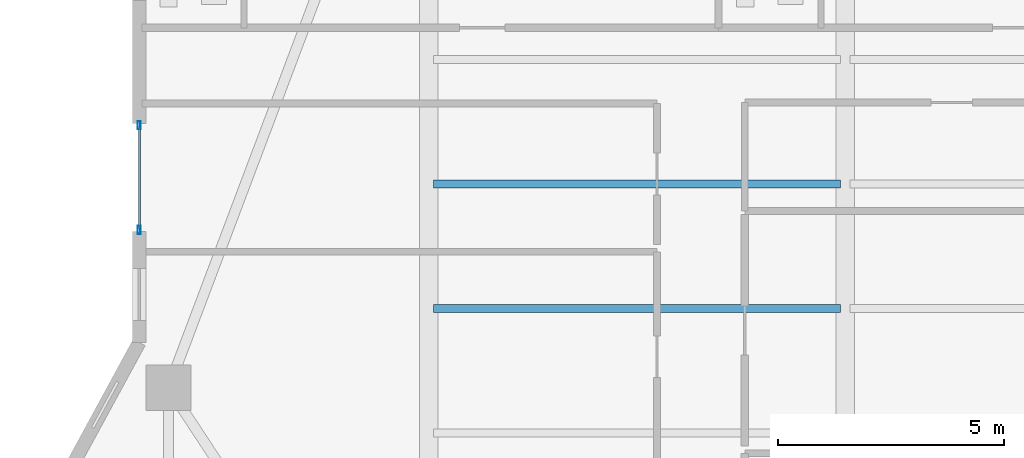
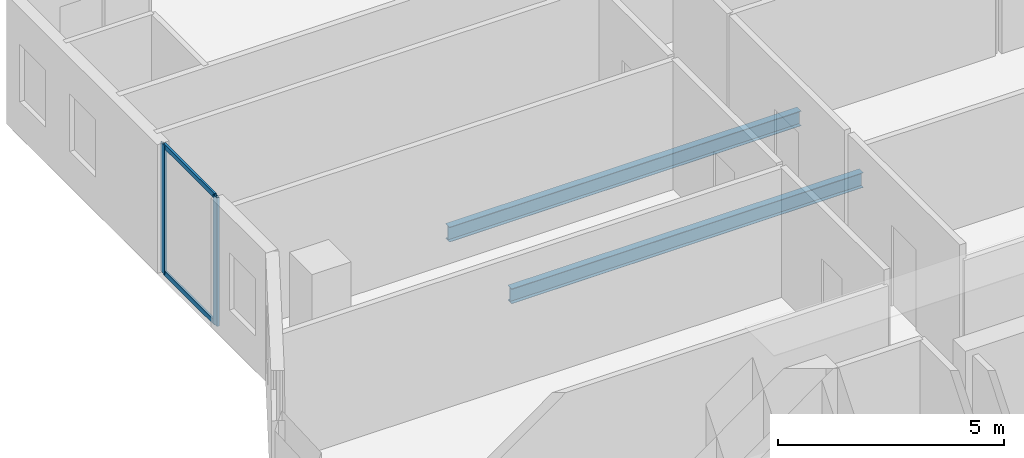
# One storey, part 6 of 24: 4 members, 2 beams, 1 element without a shape of its own.
"""IFC4 building model written with IfcOpenShell, lengths in metres."""

from ifc_helpers import new_model, si_unit, direction, frame, origin, origin_2d, place, context, subcontext, project, spatial, hollow_rectangle, i_section, extrude, material, layer, layer_set, material_profile, profile_set, type_object, element, aggregate, save


model = new_model("IFC4")

# Units and contexts
model_context = context("Model", 3, precision=1e-05, world=origin(), true_north=direction((0.0, 1.0)))
body_context = subcontext(model_context, "Body", "Model", "MODEL_VIEW")
ifc_project = project(units=[si_unit("LENGTHUNIT", "METRE"), si_unit("AREAUNIT", "SQUARE_METRE"), si_unit("VOLUMEUNIT", "CUBIC_METRE"), si_unit("PLANEANGLEUNIT", "RADIAN"), si_unit("MASSUNIT", "GRAM", prefix="KILO")], contexts=[model_context])

# Site, building, storey
site_placement = place(None, origin())
site = spatial("IfcSite", under=ifc_project, at=site_placement, CompositionType="ELEMENT")
building_placement = place(site_placement, origin())
building = spatial("IfcBuilding", under=site, at=building_placement, Name="Zuhayl Quay Hotel", CompositionType="ELEMENT")
storey_placement = place(building_placement, frame((0.0, 0.0, 269.25)))
storey = spatial("IfcBuildingStorey", under=building, at=storey_placement, Name="L68", CompositionType="ELEMENT", Elevation=269.25)

# Beams
ifc_material_1 = material(Name="Steel ASTM A992 Grade 50", Category="steel")
ifc_material_profile_1 = material_profile(ifc_material_1, i_section(OverallWidth=0.177978515625, OverallDepth=0.404052734375, WebThickness=0.007568359375, FlangeThickness=0.010986328125, at=origin_2d()), Name="W16X36")
ifc_profile_set_1 = profile_set([ifc_material_profile_1], Name="Steel ASTM A992 Grade 50")
beam_type = type_object("IfcBeamType", Name="BM_J3_W16X36", PredefinedType="JOIST", material=ifc_profile_set_1)
for number, where, z_axis, x_axis, name in (
    (1, (-13.694091796875, 24.85009765625, -0.422119140625), (1.0, 0.0, 0.0), (0.0, 1.0, 0.0), "L68 Floor Beam FJ_L68_4_1"),
    (2, (-13.694091796875, 27.60009765625, -0.422119140625), (1.0, 0.0, 0.0), (0.0, 1.0, 0.0), "L68 Floor Beam FJ_L68_5_1"),
):
    element("IfcBeam", number, at=place(storey_placement, frame(where, z_axis=z_axis, x_axis=x_axis)), inside=storey, type_object=beam_type, Name=name, PredefinedType="JOIST", context=body_context, shape_type="SweptSolid", body=[
        extrude(i_section(OverallWidth=0.177978515625, OverallDepth=0.404052734375, WebThickness=0.007568359375, FlangeThickness=0.010986328125, at=origin_2d()), origin(), (0.0, 0.0, 1.0), 8.988037109375),
    ])

# Curtain wall, members
ifc_material_2 = material(Name="Anodised Aluminium 6063-T6", Category="aluminium")
ifc_layer = layer(ifc_material_2, 0.169921875, Name="Anodised Aluminium 6063-T6", Category="aluminium")
ifc_layer_set = layer_set([ifc_layer], Name="Anodised Aluminium 6063-T6")
curtain_wall_type = type_object("IfcCurtainWallType", Name="CW_SYS_Z4", PredefinedType="USERDEFINED", material=ifc_layer_set)
curtain_wall_placement = place(storey_placement, origin())
curtain_wall = element("IfcCurtainWall", 3, at=curtain_wall_placement, inside=storey, type_object=curtain_wall_type, Name="L68 Curtain Wall ENV_L68_E05_CW1", ObjectType="UNITISED CURTAIN WALL", PredefinedType="USERDEFINED")
ifc_material_3 = material(Name="Black-anodised aluminium 6063-T6", Category="aluminium")
ifc_material_profile_2 = material_profile(ifc_material_3, hollow_rectangle(XDim=0.06494140625, YDim=0.179931640625, WallThickness=0.00341796875, at=origin_2d()), Name="ALU180X65")
ifc_profile_set_2 = profile_set([ifc_material_profile_2], Name="Black-anodised aluminium 6063-T6")
member_type_1 = type_object("IfcMemberType", Name="MB_CW_MUL_180", PredefinedType="MULLION", material=ifc_profile_set_2)
member_1_placement = place(storey_placement, frame((-20.199951171875, 26.58251953125, 0.0), z_axis=(0.0, 0.0, 1.0), x_axis=(-1.0, 0.0, 0.0)))
member_1 = element("IfcMember", 4, at=member_1_placement, type_object=member_type_1, Name="CW-Z4 mullion 1", PredefinedType="MULLION", context=body_context, shape_type="SweptSolid", body=[
    extrude(hollow_rectangle(XDim=0.06494140625, YDim=0.179931640625, WallThickness=0.00341796875, at=origin_2d()), origin(), (0.0, 0.0, 1.0), 3.47998046875),
])
member_2_placement = place(storey_placement, frame((-20.199951171875, 28.8974609375, 0.0), z_axis=(0.0, 0.0, 1.0), x_axis=(-1.0, 0.0, 0.0)))
member_2 = element("IfcMember", 5, at=member_2_placement, type_object=member_type_1, Name="CW-Z4 mullion 2", PredefinedType="MULLION", context=body_context, shape_type="SweptSolid", body=[
    extrude(hollow_rectangle(XDim=0.06494140625, YDim=0.179931640625, WallThickness=0.00341796875, at=origin_2d()), origin(), (0.0, 0.0, 1.0), 3.47998046875),
])
ifc_material_profile_3 = material_profile(ifc_material_3, hollow_rectangle(XDim=0.054931640625, YDim=0.1298828125, WallThickness=0.0029296875, at=origin_2d()), Name="ALU130X55")
ifc_profile_set_3 = profile_set([ifc_material_profile_3], Name="Black-anodised aluminium 6063-T6")
member_type_2 = type_object("IfcMemberType", Name="MB_CW_TRN_130", PredefinedType="USERDEFINED", material=ifc_profile_set_3)
member_3_placement = place(storey_placement, frame((-20.199951171875, 26.614990234375, 0.027587890625), z_axis=(0.0, 1.0, 0.0), x_axis=(-1.0, 0.0, 0.0)))
member_3 = element("IfcMember", 6, at=member_3_placement, type_object=member_type_2, Name="CW-Z4 transom 1.1", ObjectType="TRANSOM", PredefinedType="USERDEFINED", context=body_context, shape_type="SweptSolid", body=[
    extrude(hollow_rectangle(XDim=0.054931640625, YDim=0.1298828125, WallThickness=0.0029296875, at=origin_2d()), origin(), (0.0, 0.0, 1.0), 2.25),
])
member_4_placement = place(storey_placement, frame((-20.199951171875, 26.614990234375, 3.452392578125), z_axis=(0.0, 1.0, 0.0), x_axis=(-1.0, 0.0, 0.0)))
member_4 = element("IfcMember", 7, at=member_4_placement, type_object=member_type_2, Name="CW-Z4 transom 1.2", ObjectType="TRANSOM", PredefinedType="USERDEFINED", context=body_context, shape_type="SweptSolid", body=[
    extrude(hollow_rectangle(XDim=0.054931640625, YDim=0.1298828125, WallThickness=0.0029296875, at=origin_2d()), origin(), (0.0, 0.0, 1.0), 2.25),
])
aggregate(curtain_wall, [member_1, member_2, member_3, member_4])

save(model, "model.ifc")
